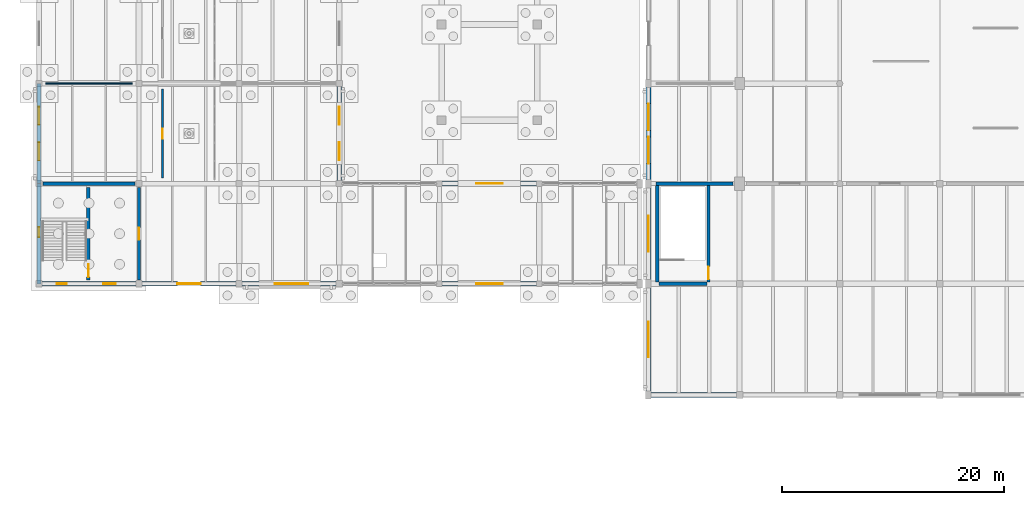
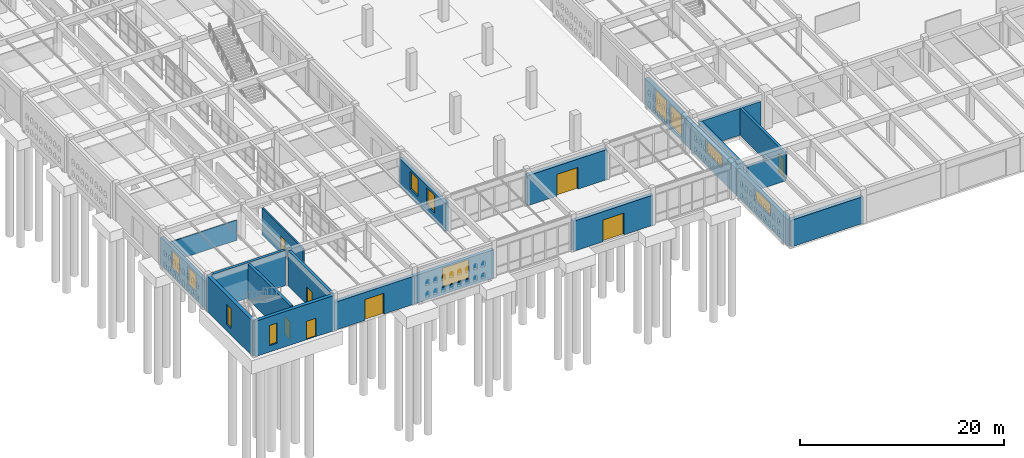
# One storey, part 159 of 186: 21 walls, 11 windows, 8 doors, 19 openings.
"""IFC4 building model written with IfcOpenShell, lengths in metres."""

import ifcopenshell
import ifcopenshell.guid

model = None  # the IFC model being written
_history = None  # IfcOwnerHistory: only IFC2X3 demands one
_inside = {}  # id of a spatial element -> (the spatial element, [elements in it])
_under = {}  # id of a project, library or spatial element -> (it, [spatial elements below it])
_declared = {}  # id of a project -> (the project, [libraries it declares])
_typed = {}  # id of a type object -> (the type object, [elements of that type])
_made_of = {}  # id of a material, layer set ... -> (it, [elements and type objects made of it])


def new_model(schema):
    """Start an empty IFC model of exactly this schema.

    Asked for "IFC4X3", IfcOpenShell would pick the latest addendum, in which some entities
    have other attributes; the version numbers below select the first issue.
    IFC2X3 requires an IfcOwnerHistory on every rooted entity: one is made here for all.
    """
    global model, _history
    if schema == "IFC4X3":
        model = ifcopenshell.file(schema_version=(4, 3, 0, 0))
    else:
        model = ifcopenshell.file(schema=schema)
    _inside.clear()
    _under.clear()
    _declared.clear()
    _typed.clear()
    _made_of.clear()
    _history = None
    if model.schema == "IFC2X3":
        org = make("IfcOrganization", Name="unknown")
        user = make(
            "IfcPersonAndOrganization",
            ThePerson=make("IfcPerson", FamilyName="unknown"),
            TheOrganization=org,
        )
        app = make(
            "IfcApplication",
            ApplicationDeveloper=org,
            Version="unknown",
            ApplicationFullName="unknown",
            ApplicationIdentifier="unknown",
        )
        _history = make(
            "IfcOwnerHistory",
            OwningUser=user,
            OwningApplication=app,
            ChangeAction="ADDED",
            CreationDate=0,
        )
    return model


def make(cls, **values):
    """One entity of the class cls with the attributes given. An attribute that is None is left unset."""
    return model.create_entity(
        cls, **{name: value for name, value in values.items() if value is not None}
    )


def rooted(cls, **values):
    """An entity with a GlobalId (a new one), such as an element, a storey or a relation."""
    return make(cls, GlobalId=ifcopenshell.guid.new(), OwnerHistory=_history, **values)


def si_unit(unit_type, name, prefix=None):
    """IfcSIUnit, for example si_unit("LENGTHUNIT", "METRE", prefix="MILLI")."""
    return make("IfcSIUnit", UnitType=unit_type, Prefix=prefix, Name=name)


def assignment(units):
    """IfcUnitAssignment: the units of a project."""
    return None if units is None else make("IfcUnitAssignment", Units=units)


def point(xyz):
    """IfcCartesianPoint."""
    return None if xyz is None else make("IfcCartesianPoint", Coordinates=xyz)


def direction(xyz):
    """IfcDirection."""
    return None if xyz is None else make("IfcDirection", DirectionRatios=xyz)


def frame(location, z_axis=None, x_axis=None):
    """IfcAxis2Placement3D, a coordinate frame: its origin and axes. An axis left out is left unset."""
    return make(
        "IfcAxis2Placement3D",
        Location=point(location),
        Axis=direction(z_axis),
        RefDirection=direction(x_axis),
    )


def frame_2d(location, x_axis=None):
    """IfcAxis2Placement2D, a coordinate frame in the plane: its origin and x axis."""
    return make(
        "IfcAxis2Placement2D", Location=point(location), RefDirection=direction(x_axis)
    )


def origin():
    """The frame at (0, 0, 0) with its axes left unset."""
    return frame((0.0, 0.0, 0.0))


def place(relative_to, where):
    """IfcLocalPlacement: puts the frame where relative to a parent placement (None: the world)."""
    return make(
        "IfcLocalPlacement", PlacementRelTo=relative_to, RelativePlacement=where
    )


def context(
    kind, dimensions, precision=None, world=None, true_north=None, identifier=None
):
    """IfcGeometricRepresentationContext, for example the 3D "Model" context."""
    return make(
        "IfcGeometricRepresentationContext",
        ContextIdentifier=identifier,
        ContextType=kind,
        CoordinateSpaceDimension=dimensions,
        Precision=precision,
        WorldCoordinateSystem=world,
        TrueNorth=true_north,
    )


def subcontext(parent, identifier, kind, view, scale=None):
    """IfcGeometricRepresentationSubContext, for example "Body" below "Model"."""
    return make(
        "IfcGeometricRepresentationSubContext",
        ContextIdentifier=identifier,
        ContextType=kind,
        ParentContext=parent,
        TargetScale=scale,
        TargetView=view,
    )


def project(units=None, contexts=None):
    """IfcProject with its units and contexts."""
    return rooted(
        "IfcProject",
        Name="project",
        RepresentationContexts=contexts,
        UnitsInContext=assignment(units),
    )


def spatial(cls, under=None, at=None, **own):
    """A site, building, storey or space (cls), placed at a placement, below another one or the project."""
    s = rooted(cls, ObjectPlacement=at, **own)
    if under is not None:
        _under.setdefault(under.id(), (under, []))[1].append(s)
    return s


def profile(cls, at=None, kind="AREA", **sizes):
    """A parametric profile (cls). Its sizes go by their IFC names, for example OverallWidth=200.0."""
    return make(cls, ProfileType=kind, Position=at, **sizes)


def rectangle(**sizes):
    """IfcRectangleProfileDef."""
    return profile("IfcRectangleProfileDef", **sizes)


def extrude(swept, where, along, depth):
    """IfcExtrudedAreaSolid: the profile swept, set in the frame where, extruded along a direction by depth."""
    return make(
        "IfcExtrudedAreaSolid",
        SweptArea=swept,
        Position=where,
        ExtrudedDirection=direction(along),
        Depth=depth,
    )


def shape(context_of_items, identifier, shape_type, items):
    """IfcShapeRepresentation: the items that make up one representation, for example the "Body"."""
    return make(
        "IfcShapeRepresentation",
        ContextOfItems=context_of_items,
        RepresentationIdentifier=identifier,
        RepresentationType=shape_type,
        Items=items,
    )


def material(Name=None, Category=None):
    """IfcMaterial."""
    return make("IfcMaterial", Name=Name, Category=Category)


def layer(
    of_material, thickness, ventilated=None, Name=None, Category=None, Priority=None
):
    """IfcMaterialLayer: one layer of a wall or slab, of a material (None: an air gap)."""
    return make(
        "IfcMaterialLayer",
        Material=of_material,
        LayerThickness=thickness,
        IsVentilated=ventilated,
        Name=Name,
        Category=Category,
        Priority=Priority,
    )


def layer_set(layers, Name=None):
    """IfcMaterialLayerSet."""
    return make("IfcMaterialLayerSet", MaterialLayers=layers, LayerSetName=Name)


def made_of(thing, what):
    """Note that an element or type object is made of a material, layer set ...; save() writes the relation."""
    if what is not None:
        _made_of.setdefault(what.id(), (what, []))[1].append(thing)
    return thing


def type_object(cls, material=None, **own):
    """A type object (cls), such as IfcWallType, which elements share."""
    return made_of(rooted(cls, **own), material)


def element(
    cls,
    number,
    at=None,
    inside=None,
    cuts=None,
    type_object=None,
    material=None,
    context=None,
    identifier="Body",
    shape_type=None,
    held_by="IfcProductDefinitionShape",
    body=None,
    shapes=None,
    **own,
):
    """One element of the class cls, such as IfcWall. Its Tag is "e" and its number.

    at: its placement. inside: the storey or other place that contains it. cuts: it is an
    opening in that element (IfcRelVoidsElement). A single representation is given by context,
    identifier, shape_type and body (its items); several are given by shapes. held_by: the class
    of the entity that holds the representations. save() writes the other relations.
    """
    e = rooted(cls, Tag="e%d" % number, ObjectPlacement=at, **own)
    if body is not None:
        shapes = [shape(context, identifier, shape_type, body)]
    if shapes is not None:
        e.Representation = make(held_by, Representations=shapes)
    if inside is not None:
        _inside.setdefault(inside.id(), (inside, []))[1].append(e)
    if cuts is not None:
        rooted(
            "IfcRelVoidsElement", RelatingBuildingElement=cuts, RelatedOpeningElement=e
        )
    if type_object is not None:
        _typed.setdefault(type_object.id(), (type_object, []))[1].append(e)
    return made_of(e, material)


def fill(opening, filler):
    """IfcRelFillsElement: the door or window that sits in an opening."""
    return rooted(
        "IfcRelFillsElement",
        RelatingOpeningElement=opening,
        RelatedBuildingElement=filler,
    )


def aggregate(whole, parts):
    """IfcRelAggregates: a whole, such as a stair, and the parts it consists of."""
    return rooted("IfcRelAggregates", RelatingObject=whole, RelatedObjects=parts)


def save(model, path):
    """Write the relations noted so far, then the file.

    IfcRelAggregates (storeys below a building ...), IfcRelContainedInSpatialStructure (elements
    in a storey), IfcRelDefinesByType, IfcRelAssociatesMaterial and IfcRelDeclares: one each for
    every whole, place, type object, material and project.
    """
    for whole, parts in _under.values():
        aggregate(whole, parts)
    for where, things in _inside.values():
        rooted(
            "IfcRelContainedInSpatialStructure",
            RelatedElements=things,
            RelatingStructure=where,
        )
    for kind, things in _typed.values():
        rooted("IfcRelDefinesByType", RelatedObjects=things, RelatingType=kind)
    for what, things in _made_of.values():
        rooted("IfcRelAssociatesMaterial", RelatedObjects=things, RelatingMaterial=what)
    for by, libraries in _declared.values():
        rooted("IfcRelDeclares", RelatingContext=by, RelatedDefinitions=libraries)
    model.write(path)


model = new_model("IFC4")

# Units and contexts
model_context = context("Model", 3, precision=1e-05, world=origin(), true_north=direction((0.0, 1.0)))
body_context = subcontext(model_context, "Body", "Model", "MODEL_VIEW")
ifc_project = project(units=[si_unit("LENGTHUNIT", "METRE"), si_unit("AREAUNIT", "SQUARE_METRE"), si_unit("VOLUMEUNIT", "CUBIC_METRE"), si_unit("PLANEANGLEUNIT", "RADIAN"), si_unit("MASSUNIT", "GRAM", prefix="KILO")], contexts=[model_context])

# Site, building, storey
site_placement = place(None, origin())
site = spatial("IfcSite", under=ifc_project, at=site_placement, CompositionType="ELEMENT")
building_placement = place(site_placement, origin())
building = spatial("IfcBuilding", under=site, at=building_placement, Name="Ornek Quay Market", CompositionType="ELEMENT")
storey_placement = place(building_placement, origin())
storey = spatial("IfcBuildingStorey", under=building, at=storey_placement, Name="L00", CompositionType="ELEMENT", Elevation=0.0)

# Wall, opening, door
ifc_material_1 = material(Name="Concrete C40/50", Category="concrete")
ifc_layer_1 = layer(ifc_material_1, 0.300048828125, Name="Concrete C40/50", Category="concrete")
ifc_layer_set_1 = layer_set([ifc_layer_1], Name="Concrete C40/50")
wall_type_1 = type_object("IfcWallType", Name="WL-CORE-300", PredefinedType="SHEAR", material=ifc_layer_set_1)
wall_1_placement = place(storey_placement, frame((4.449951171875, 20.35009765625, 0.0), z_axis=(0.0, 0.0, 1.0), x_axis=(0.0, 1.0, 0.0)))
wall_1 = element("IfcWall", 1, at=wall_1_placement, inside=storey, type_object=wall_type_1, Name="Interior wall W-CORE1-017", PredefinedType="SHEAR", context=body_context, shape_type="SweptSolid", body=[
    extrude(rectangle(XDim=8.2998046875, YDim=0.300048828125, at=frame_2d((4.14990234375, 0.0))), origin(), (0.0, 0.0, 1.0), 4.219970703125),
])
opening_1_placement = place(wall_1_placement, frame((0.25, 0.0, 0.0)))
opening_1 = element("IfcOpeningElement", 2, at=opening_1_placement, cuts=wall_1, Name="Opening FD-03-007", PredefinedType="OPENING", context=body_context, shape_type="SweptSolid", body=[
    extrude(rectangle(XDim=1.14990234375, YDim=2.14990234375, at=frame_2d((0.574951171875, 1.074951171875))), frame((0.0, 0.159912109375, 0.0), z_axis=(0.0, -1.0, 0.0), x_axis=(1.0, 0.0, 0.0)), (0.0, 0.0, 1.0), 0.320068359375),
])
ifc_material_2 = material(Name="Insulated fire-rated painted steel", Category="steel")
door_type_1 = type_object("IfcDoorType", Name="DR-FIRE-STAIR-1150x2150", OperationType="NOTDEFINED", PredefinedType="DOOR", material=ifc_material_2)
door_1_placement = place(opening_1_placement, origin())
door_1 = element("IfcDoor", 3, at=door_1_placement, inside=storey, type_object=door_type_1, Name="Interior door FD-03-007", OperationType="SINGLE_SWING_RIGHT", OverallHeight=2.14990234375, OverallWidth=1.14990234375, PredefinedType="DOOR", context=body_context, shape_type="SweptSolid", body=[
    extrude(rectangle(XDim=1.14990234375, YDim=2.14990234375, at=frame_2d((0.574951171875, 1.074951171875))), frame((0.0, 0.02490234375, 0.0), z_axis=(0.0, -1.0, 0.0), x_axis=(1.0, 0.0, 0.0)), (0.0, 0.0, 1.0), 0.050048828125),
])
fill(opening_1, door_1)

wall_2_placement = place(storey_placement, frame((9.0, 20.35009765625, 0.0), z_axis=(0.0, 0.0, 1.0), x_axis=(0.0, 1.0, 0.0)))
wall_2 = element("IfcWall", 4, at=wall_2_placement, inside=storey, type_object=wall_type_1, Name="Interior wall W-CORE1-018", PredefinedType="SHEAR", context=body_context, shape_type="SweptSolid", body=[
    extrude(rectangle(XDim=8.2998046875, YDim=0.300048828125, at=frame_2d((4.14990234375, 0.0))), origin(), (0.0, 0.0, 1.0), 4.219970703125),
])
opening_2_placement = place(wall_2_placement, frame((3.60009765625, 0.0, 0.0)))
opening_2 = element("IfcOpeningElement", 5, at=opening_2_placement, cuts=wall_2, Name="Opening FD-04-008", PredefinedType="OPENING", context=body_context, shape_type="SweptSolid", body=[
    extrude(rectangle(XDim=1.10009765625, YDim=2.10009765625, at=frame_2d((0.550048828125, 1.050048828125))), frame((0.0, 0.159912109375, 0.0), z_axis=(0.0, -1.0, 0.0), x_axis=(1.0, 0.0, 0.0)), (0.0, 0.0, 1.0), 0.320068359375),
])
door_type_2 = type_object("IfcDoorType", Name="DR-FIRE-LOBBY-1100x2100", OperationType="NOTDEFINED", PredefinedType="DOOR", material=ifc_material_2)
door_2_placement = place(opening_2_placement, origin())
door_2 = element("IfcDoor", 6, at=door_2_placement, inside=storey, type_object=door_type_2, Name="Interior door FD-04-008", OperationType="SINGLE_SWING_LEFT", OverallHeight=2.10009765625, OverallWidth=1.10009765625, PredefinedType="DOOR", context=body_context, shape_type="SweptSolid", body=[
    extrude(rectangle(XDim=1.10009765625, YDim=2.10009765625, at=frame_2d((0.550048828125, 1.050048828125))), frame((0.0, 0.02490234375, 0.0), z_axis=(0.0, -1.0, 0.0), x_axis=(1.0, 0.0, 0.0)), (0.0, 0.0, 1.0), 0.050048828125),
])
fill(opening_2, door_2)

# Walls
wall_3_placement = place(storey_placement, frame((0.35009765625, 29.0, 0.0), z_axis=(0.0, 0.0, 1.0), x_axis=(1.0, 0.0, 0.0)))
element("IfcWall", 7, at=wall_3_placement, inside=storey, type_object=wall_type_1, Name="Interior wall W-CORE1-019", PredefinedType="SHEAR", context=body_context, shape_type="SweptSolid", body=[
    extrude(rectangle(XDim=8.2998046875, YDim=0.300048828125, at=frame_2d((4.14990234375, 0.0))), origin(), (0.0, 0.0, 1.0), 4.219970703125),
])
wall_4_placement = place(storey_placement, frame((55.60009765625, 20.14990234375, 0.0), z_axis=(0.0, 0.0, 1.0), x_axis=(0.0, 1.0, 0.0)))
element("IfcWall", 8, at=wall_4_placement, inside=storey, type_object=wall_type_1, Name="Interior wall W-CORE1-173", PredefinedType="SHEAR", context=body_context, shape_type="SweptSolid", body=[
    extrude(rectangle(XDim=8.7001953125, YDim=0.300048828125, at=frame_2d((4.35009765625, 0.0))), origin(), (0.0, 0.0, 1.0), 3.199951171875),
])

# Wall, opening, door
wall_5_placement = place(storey_placement, frame((60.199951171875, 20.14990234375, 0.0), z_axis=(0.0, 0.0, 1.0), x_axis=(0.0, 1.0, 0.0)))
wall_5 = element("IfcWall", 9, at=wall_5_placement, inside=storey, type_object=wall_type_1, Name="Interior wall W-CORE1-174", PredefinedType="SHEAR", context=body_context, shape_type="SweptSolid", body=[
    extrude(rectangle(XDim=8.7001953125, YDim=0.300048828125, at=frame_2d((4.35009765625, 0.0))), origin(), (0.0, 0.0, 1.0), 3.199951171875),
])
opening_3_placement = place(wall_5_placement, frame((0.25, 0.0, 0.0)))
opening_3 = element("IfcOpeningElement", 10, at=opening_3_placement, cuts=wall_5, Name="Opening FD-03-069", PredefinedType="OPENING", context=body_context, shape_type="SweptSolid", body=[
    extrude(rectangle(XDim=1.14990234375, YDim=2.14990234375, at=frame_2d((0.574951171875, 1.074951171875))), frame((0.0, 0.159912109375, 0.0), z_axis=(0.0, -1.0, 0.0), x_axis=(1.0, 0.0, 0.0)), (0.0, 0.0, 1.0), 0.320068359375),
])
door_3_placement = place(opening_3_placement, origin())
door_3 = element("IfcDoor", 11, at=door_3_placement, inside=storey, type_object=door_type_1, Name="Interior door FD-03-069", OperationType="SINGLE_SWING_RIGHT", OverallHeight=2.14990234375, OverallWidth=1.14990234375, PredefinedType="DOOR", context=body_context, shape_type="SweptSolid", body=[
    extrude(rectangle(XDim=1.14990234375, YDim=2.14990234375, at=frame_2d((0.574951171875, 1.074951171875))), frame((0.0, 0.02490234375, 0.0), z_axis=(0.0, -1.0, 0.0), x_axis=(1.0, 0.0, 0.0)), (0.0, 0.0, 1.0), 0.050048828125),
])
fill(opening_3, door_3)

# Wall
wall_6_placement = place(storey_placement, frame((55.75, 20.0, 0.0), z_axis=(0.0, 0.0, 1.0), x_axis=(1.0, 0.0, 0.0)))
element("IfcWall", 12, at=wall_6_placement, inside=storey, type_object=wall_type_1, Name="Interior wall W-CORE1-175", PredefinedType="SHEAR", context=body_context, shape_type="SweptSolid", body=[
    extrude(rectangle(XDim=4.300048828125, YDim=0.300048828125, at=frame_2d((2.14990234375, 0.0))), origin(), (0.0, 0.0, 1.0), 3.199951171875),
])

# Wall, opening, door
ifc_material_3 = material(Name="Autoclaved aerated concrete masonry", Category="masonry")
ifc_layer_2 = layer(ifc_material_3, 0.179931640625, Name="Autoclaved aerated concrete masonry", Category="masonry")
ifc_layer_set_2 = layer_set([ifc_layer_2], Name="Autoclaved aerated concrete masonry")
wall_type_2 = type_object("IfcWallType", Name="WL-CORR-180", PredefinedType="STANDARD", material=ifc_layer_set_2)
wall_7_placement = place(storey_placement, frame((11.10009765625, 29.5, 0.0), z_axis=(0.0, 0.0, 1.0), x_axis=(0.0, 1.0, 0.0)))
wall_7 = element("IfcWall", 13, at=wall_7_placement, inside=storey, type_object=wall_type_2, Name="Interior wall W-INT1-226", PredefinedType="STANDARD", context=body_context, shape_type="SweptSolid", body=[
    extrude(rectangle(XDim=8.0, YDim=0.179931640625, at=frame_2d((4.0, 0.0))), origin(), (0.0, 0.0, 1.0), 3.199951171875),
])
opening_4_placement = place(wall_7_placement, frame((3.550048828125, 0.0, 0.0)))
opening_4 = element("IfcOpeningElement", 14, at=opening_4_placement, cuts=wall_7, Name="Opening ID-05-099", PredefinedType="OPENING", context=body_context, shape_type="SweptSolid", body=[
    extrude(rectangle(XDim=0.89990234375, YDim=2.050048828125, at=frame_2d((0.449951171875, 1.02490234375))), frame((0.0, 0.099853515625, 0.0), z_axis=(0.0, -1.0, 0.0), x_axis=(1.0, 0.0, 0.0)), (0.0, 0.0, 1.0), 0.199951171875),
])
ifc_material_4 = material(Name="Timber market stall service door", Category="wood")
door_type_3 = type_object("IfcDoorType", Name="DR-INT-STALL-900x2050", OperationType="NOTDEFINED", PredefinedType="DOOR", material=ifc_material_4)
door_4_placement = place(opening_4_placement, origin())
door_4 = element("IfcDoor", 15, at=door_4_placement, inside=storey, type_object=door_type_3, Name="Interior door ID-05-099", OperationType="SINGLE_SWING_RIGHT", OverallHeight=2.050048828125, OverallWidth=0.89990234375, PredefinedType="DOOR", context=body_context, shape_type="SweptSolid", body=[
    extrude(rectangle(XDim=0.89990234375, YDim=2.050048828125, at=frame_2d((0.449951171875, 1.02490234375))), frame((0.0, 0.02490234375, 0.0), z_axis=(0.0, -1.0, 0.0), x_axis=(1.0, 0.0, 0.0)), (0.0, 0.0, 1.0), 0.050048828125),
])
fill(opening_4, door_4)

# Wall, openings, windows
ifc_material_5 = material(Name="Frost-resistant facing clay brick M200 F100", Category="masonry")
ifc_layer_3 = layer(ifc_material_5, 0.419921875, Name="Frost-resistant facing clay brick M200 F100", Category="masonry")
ifc_layer_set_3 = layer_set([ifc_layer_3], Name="Frost-resistant facing clay brick M200 F100")
wall_type_3 = type_object("IfcWallType", Name="WL-EXT-HALL-420", PredefinedType="STANDARD", material=ifc_layer_set_3)
wall_8_placement = place(storey_placement, frame((54.800048828125, 29.0, 0.0), z_axis=(0.0, 0.0, 1.0), x_axis=(0.0, 1.0, 0.0)))
wall_8 = element("IfcWall", 16, at=wall_8_placement, inside=storey, type_object=wall_type_3, Name="Exterior wall EW-113", PredefinedType="STANDARD", context=body_context, shape_type="SweptSolid", body=[
    extrude(rectangle(XDim=9.0, YDim=0.419921875, at=frame_2d((4.5, 0.0))), origin(), (0.0, 0.0, 1.0), 3.18994140625),
])
opening_5_placement = place(wall_8_placement, frame((1.800048828125, 0.0, 0.409912109375)))
opening_5 = element("IfcOpeningElement", 17, at=opening_5_placement, cuts=wall_8, Name="Opening W-01-072", PredefinedType="OPENING", context=body_context, shape_type="SweptSolid", body=[
    extrude(rectangle(XDim=2.39990234375, YDim=2.60009765625, at=frame_2d((1.199951171875, 1.300048828125))), frame((0.0, 0.219970703125, 0.0), z_axis=(0.0, -1.0, 0.0), x_axis=(1.0, 0.0, 0.0)), (0.0, 0.0, 1.0), 0.43994140625),
])
opening_6_placement = place(wall_8_placement, frame((4.800048828125, 0.0, 0.409912109375)))
opening_6 = element("IfcOpeningElement", 18, at=opening_6_placement, cuts=wall_8, Name="Opening W-01-073", PredefinedType="OPENING", context=body_context, shape_type="SweptSolid", body=[
    extrude(rectangle(XDim=2.39990234375, YDim=2.60009765625, at=frame_2d((1.199951171875, 1.300048828125))), frame((0.0, 0.219970703125, 0.0), z_axis=(0.0, -1.0, 0.0), x_axis=(1.0, 0.0, 0.0)), (0.0, 0.0, 1.0), 0.43994140625),
])
ifc_material_6 = material(Name="Thermally broken bronze aluminium and triple low-e glass", Category="aluminium")
window_type_1 = type_object("IfcWindowType", Name="WN-HALL-2400x2600", PartitioningType="DOUBLE_PANEL_VERTICAL", PredefinedType="WINDOW", material=ifc_material_6)
window_1_placement = place(opening_5_placement, origin())
window_1 = element("IfcWindow", 19, at=window_1_placement, inside=storey, type_object=window_type_1, Name="Window W-01-072", OverallHeight=2.60009765625, OverallWidth=2.39990234375, PartitioningType="SINGLE_PANEL", PredefinedType="WINDOW", context=body_context, shape_type="SweptSolid", body=[
    extrude(rectangle(XDim=2.39990234375, YDim=2.60009765625, at=frame_2d((1.199951171875, 1.300048828125))), frame((0.0, 0.030029296875, 0.0), z_axis=(0.0, -1.0, 0.0), x_axis=(1.0, 0.0, 0.0)), (0.0, 0.0, 1.0), 0.06005859375),
])
fill(opening_5, window_1)
window_2_placement = place(opening_6_placement, origin())
window_2 = element("IfcWindow", 20, at=window_2_placement, inside=storey, type_object=window_type_1, Name="Window W-01-073", OverallHeight=2.60009765625, OverallWidth=2.39990234375, PartitioningType="SINGLE_PANEL", PredefinedType="WINDOW", context=body_context, shape_type="SweptSolid", body=[
    extrude(rectangle(XDim=2.39990234375, YDim=2.60009765625, at=frame_2d((1.199951171875, 1.300048828125))), frame((0.0, 0.030029296875, 0.0), z_axis=(0.0, -1.0, 0.0), x_axis=(1.0, 0.0, 0.0)), (0.0, 0.0, 1.0), 0.06005859375),
])
fill(opening_6, window_2)

# Wall, opening, door
ifc_material_7 = material(Name="Granite-faced insulated concrete C35/45", Category="masonry")
ifc_layer_4 = layer(ifc_material_7, 0.43994140625, Name="Granite-faced insulated concrete C35/45", Category="masonry")
ifc_layer_set_4 = layer_set([ifc_layer_4], Name="Granite-faced insulated concrete C35/45")
wall_type_4 = type_object("IfcWallType", Name="WL-EXT-PLINTH-440", PredefinedType="STANDARD", material=ifc_layer_set_4)
wall_9_placement = place(storey_placement, frame((36.0, 29.0, 0.0), z_axis=(0.0, 0.0, 1.0), x_axis=(1.0, 0.0, 0.0)))
wall_9 = element("IfcWall", 21, at=wall_9_placement, inside=storey, type_object=wall_type_4, Name="Exterior wall EW-088", PredefinedType="STANDARD", context=body_context, shape_type="SweptSolid", body=[
    extrude(rectangle(XDim=9.0, YDim=0.43994140625, at=frame_2d((4.5, 0.0))), origin(), (0.0, 0.0, 1.0), 3.60009765625),
])
opening_7_placement = place(wall_9_placement, frame((3.300048828125, 0.0, 0.0)))
opening_7 = element("IfcOpeningElement", 22, at=opening_7_placement, cuts=wall_9, Name="Opening ED-01-013", PredefinedType="OPENING", context=body_context, shape_type="SweptSolid", body=[
    extrude(rectangle(XDim=2.39990234375, YDim=2.60009765625, at=frame_2d((1.199951171875, 1.300048828125))), frame((0.0, 0.22998046875, 0.0), z_axis=(0.0, -1.0, 0.0), x_axis=(1.0, 0.0, 0.0)), (0.0, 0.0, 1.0), 0.4599609375),
])
ifc_material_8 = material(Name="Anodised bronze aluminium and triple glass", Category="aluminium")
door_type_4 = type_object("IfcDoorType", Name="DR-EXT-DBL-2400x2600", OperationType="DOUBLE_DOOR_SINGLE_SWING", PredefinedType="DOOR", material=ifc_material_8)
door_5_placement = place(opening_7_placement, origin())
door_5 = element("IfcDoor", 23, at=door_5_placement, inside=storey, type_object=door_type_4, Name="Exterior door ED-01-013", OperationType="DOUBLE_DOOR_SINGLE_SWING", OverallHeight=2.60009765625, OverallWidth=2.39990234375, PredefinedType="DOOR", context=body_context, shape_type="SweptSolid", body=[
    extrude(rectangle(XDim=2.39990234375, YDim=2.60009765625, at=frame_2d((1.199951171875, 1.300048828125))), frame((0.0, 0.02490234375, 0.0), z_axis=(0.0, -1.0, 0.0), x_axis=(1.0, 0.0, 0.0)), (0.0, 0.0, 1.0), 0.050048828125),
])
fill(opening_7, door_5)

wall_10_placement = place(storey_placement, frame((36.0, 20.0, 0.0), z_axis=(0.0, 0.0, 1.0), x_axis=(1.0, 0.0, 0.0)))
wall_10 = element("IfcWall", 24, at=wall_10_placement, inside=storey, type_object=wall_type_4, Name="Exterior wall EW-089", PredefinedType="STANDARD", context=body_context, shape_type="SweptSolid", body=[
    extrude(rectangle(XDim=9.0, YDim=0.43994140625, at=frame_2d((4.5, 0.0))), origin(), (0.0, 0.0, 1.0), 3.60009765625),
])
opening_8_placement = place(wall_10_placement, frame((3.300048828125, 0.0, 0.0)))
opening_8 = element("IfcOpeningElement", 25, at=opening_8_placement, cuts=wall_10, Name="Opening ED-01-014", PredefinedType="OPENING", context=body_context, shape_type="SweptSolid", body=[
    extrude(rectangle(XDim=2.39990234375, YDim=2.60009765625, at=frame_2d((1.199951171875, 1.300048828125))), frame((0.0, 0.22998046875, 0.0), z_axis=(0.0, -1.0, 0.0), x_axis=(1.0, 0.0, 0.0)), (0.0, 0.0, 1.0), 0.4599609375),
])
door_6_placement = place(opening_8_placement, origin())
door_6 = element("IfcDoor", 26, at=door_6_placement, inside=storey, type_object=door_type_4, Name="Exterior door ED-01-014", OperationType="DOUBLE_DOOR_SINGLE_SWING", OverallHeight=2.60009765625, OverallWidth=2.39990234375, PredefinedType="DOOR", context=body_context, shape_type="SweptSolid", body=[
    extrude(rectangle(XDim=2.39990234375, YDim=2.60009765625, at=frame_2d((1.199951171875, 1.300048828125))), frame((0.0, 0.02490234375, 0.0), z_axis=(0.0, -1.0, 0.0), x_axis=(1.0, 0.0, 0.0)), (0.0, 0.0, 1.0), 0.050048828125),
])
fill(opening_8, door_6)

# Wall
wall_11_placement = place(storey_placement, frame((54.800048828125, 10.0, 0.0), z_axis=(0.0, 0.0, 1.0), x_axis=(1.0, 0.0, 0.0)))
element("IfcWall", 27, at=wall_11_placement, inside=storey, type_object=wall_type_4, Name="Exterior wall EW-098", PredefinedType="STANDARD", context=body_context, shape_type="SweptSolid", body=[
    extrude(rectangle(XDim=8.199951171875, YDim=0.43994140625, at=frame_2d((4.10009765625, 0.0))), origin(), (0.0, 0.0, 1.0), 3.18994140625),
])

# Wall, opening, window
wall_12_placement = place(storey_placement, frame((54.800048828125, 10.0, 0.0), z_axis=(0.0, 0.0, 1.0), x_axis=(0.0, 1.0, 0.0)))
wall_12 = element("IfcWall", 28, at=wall_12_placement, inside=storey, type_object=wall_type_4, Name="Exterior wall EW-106", PredefinedType="STANDARD", context=body_context, shape_type="SweptSolid", body=[
    extrude(rectangle(XDim=10.0, YDim=0.43994140625, at=frame_2d((5.0, 0.0))), origin(), (0.0, 0.0, 1.0), 3.18994140625),
])
opening_9_placement = place(wall_12_placement, frame((3.39990234375, 0.0, 1.5)))
opening_9 = element("IfcOpeningElement", 29, at=opening_9_placement, cuts=wall_12, Name="Opening W-03-066", PredefinedType="OPENING", context=body_context, shape_type="SweptSolid", body=[
    extrude(rectangle(XDim=3.199951171875, YDim=1.5, at=frame_2d((1.60009765625, 0.75))), frame((0.0, 0.22998046875, 0.0), z_axis=(0.0, -1.0, 0.0), x_axis=(1.0, 0.0, 0.0)), (0.0, 0.0, 1.0), 0.4599609375),
])
window_type_2 = type_object("IfcWindowType", Name="WN-CLER-3200x1500", PartitioningType="TRIPLE_PANEL_VERTICAL", PredefinedType="WINDOW", material=ifc_material_6)
window_3_placement = place(opening_9_placement, origin())
window_3 = element("IfcWindow", 30, at=window_3_placement, inside=storey, type_object=window_type_2, Name="Window W-03-066", OverallHeight=1.5, OverallWidth=3.199951171875, PartitioningType="SINGLE_PANEL", PredefinedType="WINDOW", context=body_context, shape_type="SweptSolid", body=[
    extrude(rectangle(XDim=3.199951171875, YDim=1.5, at=frame_2d((1.60009765625, 0.75))), frame((0.0, 0.030029296875, 0.0), z_axis=(0.0, -1.0, 0.0), x_axis=(1.0, 0.0, 0.0)), (0.0, 0.0, 1.0), 0.06005859375),
])
fill(opening_9, window_3)

wall_13_placement = place(storey_placement, frame((54.800048828125, 20.0, 0.0), z_axis=(0.0, 0.0, 1.0), x_axis=(0.0, 1.0, 0.0)))
wall_13 = element("IfcWall", 31, at=wall_13_placement, inside=storey, type_object=wall_type_4, Name="Exterior wall EW-107", PredefinedType="STANDARD", context=body_context, shape_type="SweptSolid", body=[
    extrude(rectangle(XDim=9.0, YDim=0.43994140625, at=frame_2d((4.5, 0.0))), origin(), (0.0, 0.0, 1.0), 3.18994140625),
])
opening_10_placement = place(wall_13_placement, frame((2.89990234375, 0.0, 1.5)))
opening_10 = element("IfcOpeningElement", 32, at=opening_10_placement, cuts=wall_13, Name="Opening W-03-067", PredefinedType="OPENING", context=body_context, shape_type="SweptSolid", body=[
    extrude(rectangle(XDim=3.199951171875, YDim=1.5, at=frame_2d((1.60009765625, 0.75))), frame((0.0, 0.22998046875, 0.0), z_axis=(0.0, -1.0, 0.0), x_axis=(1.0, 0.0, 0.0)), (0.0, 0.0, 1.0), 0.4599609375),
])
window_4_placement = place(opening_10_placement, origin())
window_4 = element("IfcWindow", 33, at=window_4_placement, inside=storey, type_object=window_type_2, Name="Window W-03-067", OverallHeight=1.5, OverallWidth=3.199951171875, PartitioningType="SINGLE_PANEL", PredefinedType="WINDOW", context=body_context, shape_type="SweptSolid", body=[
    extrude(rectangle(XDim=3.199951171875, YDim=1.5, at=frame_2d((1.60009765625, 0.75))), frame((0.0, 0.030029296875, 0.0), z_axis=(0.0, -1.0, 0.0), x_axis=(1.0, 0.0, 0.0)), (0.0, 0.0, 1.0), 0.06005859375),
])
fill(opening_10, window_4)

ifc_layer_5 = layer(ifc_material_5, 0.3798828125, Name="Frost-resistant facing clay brick M200 F100", Category="masonry")
ifc_layer_set_5 = layer_set([ifc_layer_5], Name="Frost-resistant facing clay brick M200 F100")
wall_type_5 = type_object("IfcWallType", Name="WL-EXT-WING-380", PredefinedType="STANDARD", material=ifc_layer_set_5)
wall_14_placement = place(storey_placement, frame((0.0, 20.0, 0.0), z_axis=(0.0, 0.0, 1.0), x_axis=(0.0, 1.0, 0.0)))
wall_14 = element("IfcWall", 34, at=wall_14_placement, inside=storey, type_object=wall_type_5, Name="Exterior wall EW-039", PredefinedType="STANDARD", context=body_context, shape_type="SweptSolid", body=[
    extrude(rectangle(XDim=9.0, YDim=0.3798828125, at=frame_2d((4.5, 0.0))), origin(), (0.0, 0.0, 1.0), 4.219970703125),
])
opening_11_placement = place(wall_14_placement, frame((4.199951171875, 0.0, 0.760009765625)))
opening_11 = element("IfcOpeningElement", 35, at=opening_11_placement, cuts=wall_14, Name="Opening W-17-001", PredefinedType="OPENING", context=body_context, shape_type="SweptSolid", body=[
    extrude(rectangle(XDim=0.89990234375, YDim=2.39990234375, at=frame_2d((0.449951171875, 1.199951171875))), frame((0.0, 0.199951171875, 0.0), z_axis=(0.0, -1.0, 0.0), x_axis=(1.0, 0.0, 0.0)), (0.0, 0.0, 1.0), 0.39990234375),
])
window_type_3 = type_object("IfcWindowType", Name="WN-CORE-900x2400", PartitioningType="SINGLE_PANEL", PredefinedType="WINDOW", material=ifc_material_6)
window_5_placement = place(opening_11_placement, origin())
window_5 = element("IfcWindow", 36, at=window_5_placement, inside=storey, type_object=window_type_3, Name="Window W-17-001", OverallHeight=2.39990234375, OverallWidth=0.89990234375, PartitioningType="SINGLE_PANEL", PredefinedType="WINDOW", context=body_context, shape_type="SweptSolid", body=[
    extrude(rectangle(XDim=0.89990234375, YDim=2.39990234375, at=frame_2d((0.449951171875, 1.199951171875))), frame((0.0, 0.030029296875, 0.0), z_axis=(0.0, -1.0, 0.0), x_axis=(1.0, 0.0, 0.0)), (0.0, 0.0, 1.0), 0.06005859375),
])
fill(opening_11, window_5)

# Wall, openings, windows
wall_15_placement = place(storey_placement, frame((0.0, 29.0, 0.0), z_axis=(0.0, 0.0, 1.0), x_axis=(0.0, 1.0, 0.0)))
wall_15 = element("IfcWall", 37, at=wall_15_placement, inside=storey, type_object=wall_type_5, Name="Exterior wall EW-040", PredefinedType="STANDARD", context=body_context, shape_type="SweptSolid", body=[
    extrude(rectangle(XDim=9.0, YDim=0.3798828125, at=frame_2d((4.5, 0.0))), origin(), (0.0, 0.0, 1.0), 3.35009765625),
])
opening_12_placement = place(wall_15_placement, frame((2.10009765625, 0.0, 0.949951171875)))
opening_12 = element("IfcOpeningElement", 38, at=opening_12_placement, cuts=wall_15, Name="Opening W-13-002", PredefinedType="OPENING", context=body_context, shape_type="SweptSolid", body=[
    extrude(rectangle(XDim=1.60009765625, YDim=2.10009765625, at=frame_2d((0.800048828125, 1.050048828125))), frame((0.0, 0.199951171875, 0.0), z_axis=(0.0, -1.0, 0.0), x_axis=(1.0, 0.0, 0.0)), (0.0, 0.0, 1.0), 0.39990234375),
])
opening_13_placement = place(wall_15_placement, frame((5.300048828125, 0.0, 0.949951171875)))
opening_13 = element("IfcOpeningElement", 39, at=opening_13_placement, cuts=wall_15, Name="Opening W-13-003", PredefinedType="OPENING", context=body_context, shape_type="SweptSolid", body=[
    extrude(rectangle(XDim=1.60009765625, YDim=2.10009765625, at=frame_2d((0.800048828125, 1.050048828125))), frame((0.0, 0.199951171875, 0.0), z_axis=(0.0, -1.0, 0.0), x_axis=(1.0, 0.0, 0.0)), (0.0, 0.0, 1.0), 0.39990234375),
])
window_type_4 = type_object("IfcWindowType", Name="WN-WW-1600x2100", PartitioningType="DOUBLE_PANEL_VERTICAL", PredefinedType="WINDOW", material=ifc_material_6)
window_6_placement = place(opening_12_placement, origin())
window_6 = element("IfcWindow", 40, at=window_6_placement, inside=storey, type_object=window_type_4, Name="Window W-13-002", OverallHeight=2.10009765625, OverallWidth=1.60009765625, PartitioningType="SINGLE_PANEL", PredefinedType="WINDOW", context=body_context, shape_type="SweptSolid", body=[
    extrude(rectangle(XDim=1.60009765625, YDim=2.10009765625, at=frame_2d((0.800048828125, 1.050048828125))), frame((0.0, 0.030029296875, 0.0), z_axis=(0.0, -1.0, 0.0), x_axis=(1.0, 0.0, 0.0)), (0.0, 0.0, 1.0), 0.06005859375),
])
fill(opening_12, window_6)
window_7_placement = place(opening_13_placement, origin())
window_7 = element("IfcWindow", 41, at=window_7_placement, inside=storey, type_object=window_type_4, Name="Window W-13-003", OverallHeight=2.10009765625, OverallWidth=1.60009765625, PartitioningType="SINGLE_PANEL", PredefinedType="WINDOW", context=body_context, shape_type="SweptSolid", body=[
    extrude(rectangle(XDim=1.60009765625, YDim=2.10009765625, at=frame_2d((0.800048828125, 1.050048828125))), frame((0.0, 0.030029296875, 0.0), z_axis=(0.0, -1.0, 0.0), x_axis=(1.0, 0.0, 0.0)), (0.0, 0.0, 1.0), 0.06005859375),
])
fill(opening_13, window_7)

wall_16_placement = place(storey_placement, frame((27.0, 29.0, 0.0), z_axis=(0.0, 0.0, 1.0), x_axis=(0.0, 1.0, 0.0)))
wall_16 = element("IfcWall", 42, at=wall_16_placement, inside=storey, type_object=wall_type_5, Name="Exterior wall EW-049", PredefinedType="STANDARD", context=body_context, shape_type="SweptSolid", body=[
    extrude(rectangle(XDim=9.0, YDim=0.3798828125, at=frame_2d((4.5, 0.0))), origin(), (0.0, 0.0, 1.0), 3.35009765625),
])
opening_14_placement = place(wall_16_placement, frame((2.10009765625, 0.0, 0.949951171875)))
opening_14 = element("IfcOpeningElement", 43, at=opening_14_placement, cuts=wall_16, Name="Opening W-13-015", PredefinedType="OPENING", context=body_context, shape_type="SweptSolid", body=[
    extrude(rectangle(XDim=1.60009765625, YDim=2.10009765625, at=frame_2d((0.800048828125, 1.050048828125))), frame((0.0, 0.199951171875, 0.0), z_axis=(0.0, -1.0, 0.0), x_axis=(1.0, 0.0, 0.0)), (0.0, 0.0, 1.0), 0.39990234375),
])
opening_15_placement = place(wall_16_placement, frame((5.300048828125, 0.0, 0.949951171875)))
opening_15 = element("IfcOpeningElement", 44, at=opening_15_placement, cuts=wall_16, Name="Opening W-13-016", PredefinedType="OPENING", context=body_context, shape_type="SweptSolid", body=[
    extrude(rectangle(XDim=1.60009765625, YDim=2.10009765625, at=frame_2d((0.800048828125, 1.050048828125))), frame((0.0, 0.199951171875, 0.0), z_axis=(0.0, -1.0, 0.0), x_axis=(1.0, 0.0, 0.0)), (0.0, 0.0, 1.0), 0.39990234375),
])
window_8_placement = place(opening_14_placement, origin())
window_8 = element("IfcWindow", 45, at=window_8_placement, inside=storey, type_object=window_type_4, Name="Window W-13-015", OverallHeight=2.10009765625, OverallWidth=1.60009765625, PartitioningType="SINGLE_PANEL", PredefinedType="WINDOW", context=body_context, shape_type="SweptSolid", body=[
    extrude(rectangle(XDim=1.60009765625, YDim=2.10009765625, at=frame_2d((0.800048828125, 1.050048828125))), frame((0.0, 0.030029296875, 0.0), z_axis=(0.0, -1.0, 0.0), x_axis=(1.0, 0.0, 0.0)), (0.0, 0.0, 1.0), 0.06005859375),
])
fill(opening_14, window_8)
window_9_placement = place(opening_15_placement, origin())
window_9 = element("IfcWindow", 46, at=window_9_placement, inside=storey, type_object=window_type_4, Name="Window W-13-016", OverallHeight=2.10009765625, OverallWidth=1.60009765625, PartitioningType="SINGLE_PANEL", PredefinedType="WINDOW", context=body_context, shape_type="SweptSolid", body=[
    extrude(rectangle(XDim=1.60009765625, YDim=2.10009765625, at=frame_2d((0.800048828125, 1.050048828125))), frame((0.0, 0.030029296875, 0.0), z_axis=(0.0, -1.0, 0.0), x_axis=(1.0, 0.0, 0.0)), (0.0, 0.0, 1.0), 0.06005859375),
])
fill(opening_15, window_9)

# Wall, openings, door, window
wall_17_placement = place(storey_placement, frame((9.0, 20.0, 0.0), z_axis=(0.0, 0.0, 1.0), x_axis=(-1.0, 0.0, 0.0)))
wall_17 = element("IfcWall", 47, at=wall_17_placement, inside=storey, type_object=wall_type_5, Name="Exterior wall EW-056", PredefinedType="STANDARD", context=body_context, shape_type="SweptSolid", body=[
    extrude(rectangle(XDim=9.0, YDim=0.3798828125, at=frame_2d((4.5, 0.0))), origin(), (0.0, 0.0, 1.0), 4.219970703125),
])
opening_16_placement = place(wall_17_placement, frame((6.5, 0.0, 0.760009765625)))
opening_16 = element("IfcOpeningElement", 48, at=opening_16_placement, cuts=wall_17, Name="Opening W-17-025", PredefinedType="OPENING", context=body_context, shape_type="SweptSolid", body=[
    extrude(rectangle(XDim=0.89990234375, YDim=2.39990234375, at=frame_2d((0.449951171875, 1.199951171875))), frame((0.0, 0.199951171875, 0.0), z_axis=(0.0, -1.0, 0.0), x_axis=(1.0, 0.0, 0.0)), (0.0, 0.0, 1.0), 0.39990234375),
])
opening_17_placement = place(wall_17_placement, frame((2.10009765625, 0.0, 0.0)))
opening_17 = element("IfcOpeningElement", 49, at=opening_17_placement, cuts=wall_17, Name="Opening ED-05-006", PredefinedType="OPENING", context=body_context, shape_type="SweptSolid", body=[
    extrude(rectangle(XDim=1.10009765625, YDim=2.199951171875, at=frame_2d((0.550048828125, 1.10009765625))), frame((0.0, 0.199951171875, 0.0), z_axis=(0.0, -1.0, 0.0), x_axis=(1.0, 0.0, 0.0)), (0.0, 0.0, 1.0), 0.39990234375),
])
ifc_material_9 = material(Name="Insulated painted steel", Category="steel")
door_type_5 = type_object("IfcDoorType", Name="DR-EXT-SGL-1100x2200", OperationType="NOTDEFINED", PredefinedType="DOOR", material=ifc_material_9)
door_7_placement = place(opening_17_placement, origin())
door_7 = element("IfcDoor", 50, at=door_7_placement, inside=storey, type_object=door_type_5, Name="Exterior door ED-05-006", OperationType="SINGLE_SWING_LEFT", OverallHeight=2.199951171875, OverallWidth=1.10009765625, PredefinedType="DOOR", context=body_context, shape_type="SweptSolid", body=[
    extrude(rectangle(XDim=1.10009765625, YDim=2.199951171875, at=frame_2d((0.550048828125, 1.10009765625))), frame((0.0, 0.02490234375, 0.0), z_axis=(0.0, -1.0, 0.0), x_axis=(1.0, 0.0, 0.0)), (0.0, 0.0, 1.0), 0.050048828125),
])
fill(opening_17, door_7)
window_10_placement = place(opening_16_placement, origin())
window_10 = element("IfcWindow", 51, at=window_10_placement, inside=storey, type_object=window_type_3, Name="Window W-17-025", OverallHeight=2.39990234375, OverallWidth=0.89990234375, PartitioningType="SINGLE_PANEL", PredefinedType="WINDOW", context=body_context, shape_type="SweptSolid", body=[
    extrude(rectangle(XDim=0.89990234375, YDim=2.39990234375, at=frame_2d((0.449951171875, 1.199951171875))), frame((0.0, 0.030029296875, 0.0), z_axis=(0.0, -1.0, 0.0), x_axis=(1.0, 0.0, 0.0)), (0.0, 0.0, 1.0), 0.06005859375),
])
fill(opening_16, window_10)

# Wall, opening, door
wall_18_placement = place(storey_placement, frame((9.0, 20.0, 0.0), z_axis=(0.0, 0.0, 1.0), x_axis=(1.0, 0.0, 0.0)))
wall_18 = element("IfcWall", 52, at=wall_18_placement, inside=storey, type_object=wall_type_5, Name="Exterior wall EW-057", PredefinedType="STANDARD", context=body_context, shape_type="SweptSolid", body=[
    extrude(rectangle(XDim=9.0, YDim=0.3798828125, at=frame_2d((4.5, 0.0))), origin(), (0.0, 0.0, 1.0), 3.35009765625),
])
opening_18_placement = place(wall_18_placement, frame((3.449951171875, 0.0, 0.0)))
opening_18 = element("IfcOpeningElement", 53, at=opening_18_placement, cuts=wall_18, Name="Opening ED-02-007", PredefinedType="OPENING", context=body_context, shape_type="SweptSolid", body=[
    extrude(rectangle(XDim=2.10009765625, YDim=2.5, at=frame_2d((1.050048828125, 1.25))), frame((0.0, 0.199951171875, 0.0), z_axis=(0.0, -1.0, 0.0), x_axis=(1.0, 0.0, 0.0)), (0.0, 0.0, 1.0), 0.39990234375),
])
door_type_6 = type_object("IfcDoorType", Name="DR-EXT-DBL-2100x2500", OperationType="DOUBLE_DOOR_SINGLE_SWING", PredefinedType="DOOR", material=ifc_material_8)
door_8_placement = place(opening_18_placement, origin())
door_8 = element("IfcDoor", 54, at=door_8_placement, inside=storey, type_object=door_type_6, Name="Exterior door ED-02-007", OperationType="DOUBLE_DOOR_SINGLE_SWING", OverallHeight=2.5, OverallWidth=2.10009765625, PredefinedType="DOOR", context=body_context, shape_type="SweptSolid", body=[
    extrude(rectangle(XDim=2.10009765625, YDim=2.5, at=frame_2d((1.050048828125, 1.25))), frame((0.0, 0.02490234375, 0.0), z_axis=(0.0, -1.0, 0.0), x_axis=(1.0, 0.0, 0.0)), (0.0, 0.0, 1.0), 0.050048828125),
])
fill(opening_18, door_8)

# Wall, opening, window
wall_19_placement = place(storey_placement, frame((18.0, 20.0, 0.0), z_axis=(0.0, 0.0, 1.0), x_axis=(1.0, 0.0, 0.0)))
wall_19 = element("IfcWall", 55, at=wall_19_placement, inside=storey, type_object=wall_type_5, Name="Exterior wall EW-058", PredefinedType="STANDARD", context=body_context, shape_type="SweptSolid", body=[
    extrude(rectangle(XDim=9.0, YDim=0.3798828125, at=frame_2d((4.5, 0.0))), origin(), (0.0, 0.0, 1.0), 3.35009765625),
])
opening_19_placement = place(wall_19_placement, frame((3.199951171875, 0.0, 0.860107421875)))
opening_19 = element("IfcOpeningElement", 56, at=opening_19_placement, cuts=wall_19, Name="Opening W-18-026", PredefinedType="OPENING", context=body_context, shape_type="SweptSolid", body=[
    extrude(rectangle(XDim=3.0, YDim=2.300048828125, at=frame_2d((1.5, 1.14990234375))), frame((0.0, 0.199951171875, 0.0), z_axis=(0.0, -1.0, 0.0), x_axis=(1.0, 0.0, 0.0)), (0.0, 0.0, 1.0), 0.39990234375),
])
window_type_5 = type_object("IfcWindowType", Name="WN-SHOP-3000x2300", PartitioningType="TRIPLE_PANEL_VERTICAL", PredefinedType="WINDOW", material=ifc_material_6)
window_11_placement = place(opening_19_placement, origin())
window_11 = element("IfcWindow", 57, at=window_11_placement, inside=storey, type_object=window_type_5, Name="Window W-18-026", OverallHeight=2.300048828125, OverallWidth=3.0, PartitioningType="SINGLE_PANEL", PredefinedType="WINDOW", context=body_context, shape_type="SweptSolid", body=[
    extrude(rectangle(XDim=3.0, YDim=2.300048828125, at=frame_2d((1.5, 1.14990234375))), frame((0.0, 0.030029296875, 0.0), z_axis=(0.0, -1.0, 0.0), x_axis=(1.0, 0.0, 0.0)), (0.0, 0.0, 1.0), 0.06005859375),
])
fill(opening_19, window_11)

# Walls
ifc_layer_6 = layer(ifc_material_1, 0.320068359375, Name="Concrete C40/50", Category="concrete")
ifc_layer_set_6 = layer_set([ifc_layer_6], Name="Concrete C40/50")
wall_type_6 = type_object("IfcWallType", Name="WL-FIRE-320", PredefinedType="SOLIDWALL", material=ifc_layer_set_6)
wall_20_placement = place(storey_placement, frame((55.5, 29.0, 0.0), z_axis=(0.0, 0.0, 1.0), x_axis=(1.0, 0.0, 0.0)))
element("IfcWall", 58, at=wall_20_placement, inside=storey, type_object=wall_type_6, Name="Interior wall W-FIRE1-266", PredefinedType="SOLIDWALL", context=body_context, shape_type="SweptSolid", body=[
    extrude(rectangle(XDim=6.89990234375, YDim=0.320068359375, at=frame_2d((3.449951171875, 0.0))), origin(), (0.0, 0.0, 1.0), 3.199951171875),
])
ifc_material_10 = material(Name="Fair-faced brick stall divider wall", Category="masonry")
ifc_layer_7 = layer(ifc_material_10, 0.114990234375, Name="Fair-faced brick stall divider wall", Category="masonry")
ifc_layer_set_7 = layer_set([ifc_layer_7], Name="Fair-faced brick stall divider wall")
wall_type_7 = type_object("IfcWallType", Name="WL-STALL-115", PredefinedType="PARTITIONING", material=ifc_layer_set_7)
wall_21_placement = place(storey_placement, frame((0.60009765625, 38.0, 0.0), z_axis=(0.0, 0.0, 1.0), x_axis=(1.0, 0.0, 0.0)))
element("IfcWall", 59, at=wall_21_placement, inside=storey, type_object=wall_type_7, Name="Interior wall W-STL1-234", PredefinedType="PARTITIONING", context=body_context, shape_type="SweptSolid", body=[
    extrude(rectangle(XDim=7.7998046875, YDim=0.114990234375, at=frame_2d((3.89990234375, 0.0))), origin(), (0.0, 0.0, 1.0), 2.39990234375),
])

save(model, "model.ifc")
